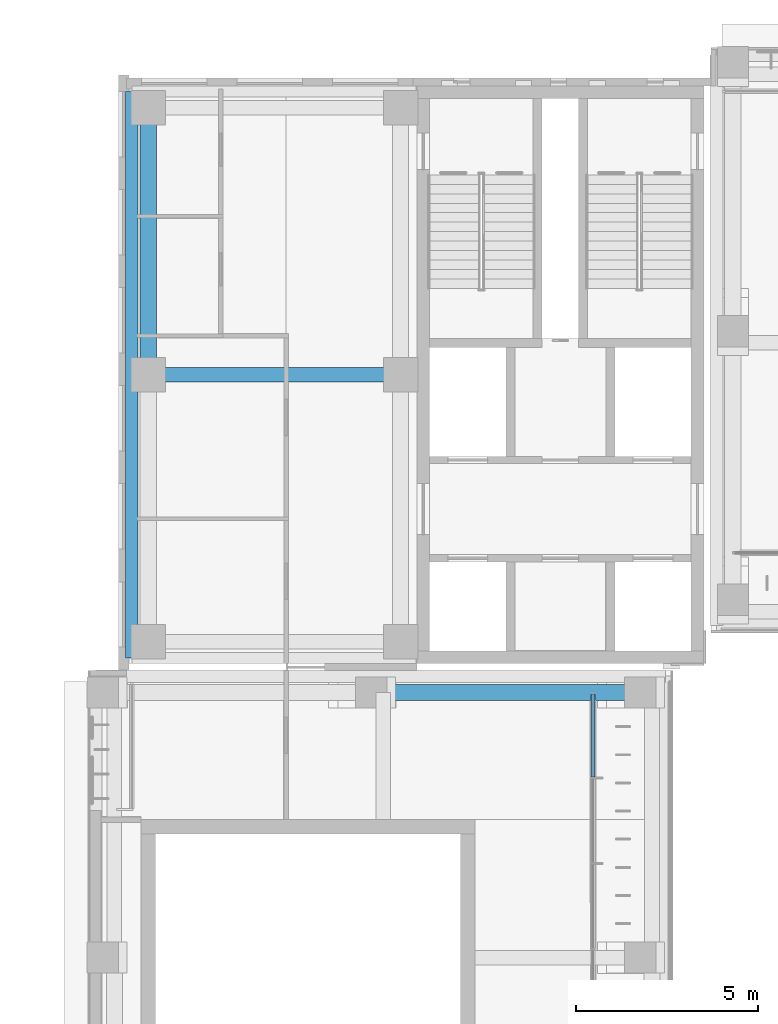
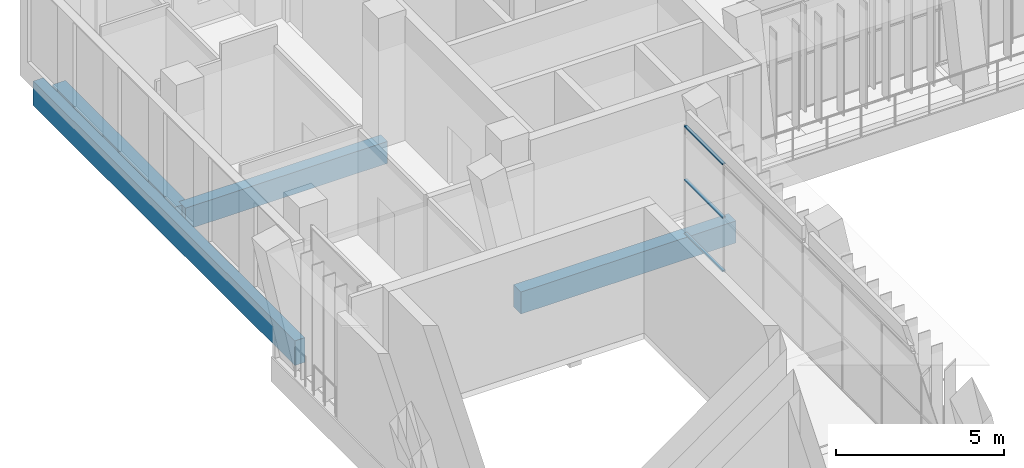
# One storey, part 30 of 92: 4 beams, 3 members, 1 element without a shape of its own.
"""IFC4 building model written with IfcOpenShell, lengths in metres."""

from ifc_helpers import new_model, si_unit, direction, frame, origin, origin_2d, place, context, subcontext, project, spatial, rectangle, extrude, material, material_profile, profile_set, type_object, element, aggregate, save


model = new_model("IFC4")

# Units and contexts
model_context = context("Model", 3, precision=1e-05, world=origin(), true_north=direction((0.0, 1.0)))
body_context = subcontext(model_context, "Body", "Model", "MODEL_VIEW")
ifc_project = project(units=[si_unit("LENGTHUNIT", "METRE"), si_unit("AREAUNIT", "SQUARE_METRE"), si_unit("VOLUMEUNIT", "CUBIC_METRE"), si_unit("PLANEANGLEUNIT", "RADIAN"), si_unit("MASSUNIT", "GRAM", prefix="KILO")], contexts=[model_context])

# Site, building, storey
site_placement = place(None, origin())
site = spatial("IfcSite", under=ifc_project, at=site_placement, CompositionType="ELEMENT")
building_placement = place(site_placement, origin())
building = spatial("IfcBuilding", under=site, at=building_placement, Name="Lantern Court Media Centre", CompositionType="ELEMENT")
storey_placement = place(building_placement, frame((0.0, 0.0, 4.800048828125)))
storey = spatial("IfcBuildingStorey", under=building, at=storey_placement, Name="L01", CompositionType="ELEMENT", Elevation=4.800048828125)

# Curtain wall, members
ifc_material_1 = material(Name="Curtain wall bay 2400")
curtain_wall_type = type_object("IfcCurtainWallType", Name="Curtain wall bay 2400", PredefinedType="NOTDEFINED", material=ifc_material_1)
curtain_wall_placement = place(storey_placement, origin())
curtain_wall = element("IfcCurtainWall", 1, at=curtain_wall_placement, inside=storey, type_object=curtain_wall_type, Name="Curtain wall W inner L01", PredefinedType="NOTDEFINED")
ifc_material_2 = material(Name="Anodised aluminium", Category="aluminium")
ifc_material_profile_1 = material_profile(ifc_material_2, rectangle(XDim=0.10009765625, YDim=0.050048828125, at=origin_2d()), Name="AL 50x100")
ifc_profile_set_1 = profile_set([ifc_material_profile_1], Name="Anodised aluminium")
member_type = type_object("IfcMemberType", Name="Curtain wall transom 100x50", PredefinedType="USERDEFINED", material=ifc_profile_set_1)
member_1_placement = place(storey_placement, frame((20.85009765625, 92.97119140625, 0.02490234375), z_axis=(0.0, 1.0, 0.0), x_axis=(-1.0, 0.0, 0.0)))
member_1 = element("IfcMember", 2, at=member_1_placement, type_object=member_type, Name="CW2 transom 13.1", ObjectType="TRANSOM", PredefinedType="USERDEFINED", context=body_context, shape_type="SweptSolid", body=[
    extrude(rectangle(XDim=0.10009765625, YDim=0.050048828125, at=origin_2d()), origin(), (0.0, 0.0, 1.0), 2.27880859375),
])
member_2_placement = place(storey_placement, frame((20.85009765625, 92.97119140625, 1.974853515625), z_axis=(0.0, 1.0, 0.0), x_axis=(-1.0, 0.0, 0.0)))
member_2 = element("IfcMember", 3, at=member_2_placement, type_object=member_type, Name="CW2 transom 13.2", ObjectType="TRANSOM", PredefinedType="USERDEFINED", context=body_context, shape_type="SweptSolid", body=[
    extrude(rectangle(XDim=0.10009765625, YDim=0.050048828125, at=origin_2d()), origin(), (0.0, 0.0, 1.0), 2.27880859375),
])
member_3_placement = place(storey_placement, frame((20.85009765625, 92.97119140625, 3.925048828125), z_axis=(0.0, 1.0, 0.0), x_axis=(-1.0, 0.0, 0.0)))
member_3 = element("IfcMember", 4, at=member_3_placement, type_object=member_type, Name="CW2 transom 13.3", ObjectType="TRANSOM", PredefinedType="USERDEFINED", context=body_context, shape_type="SweptSolid", body=[
    extrude(rectangle(XDim=0.10009765625, YDim=0.050048828125, at=origin_2d()), origin(), (0.0, 0.0, 1.0), 2.27880859375),
])
aggregate(curtain_wall, [member_1, member_2, member_3])

# Beams
ifc_material_3 = material(Name="Concrete C35", Category="concrete")
ifc_material_profile_2 = material_profile(ifc_material_3, rectangle(XDim=0.35009765625, YDim=0.89990234375, at=origin_2d()), Name="RC 350x900")
ifc_profile_set_2 = profile_set([ifc_material_profile_2], Name="Concrete C35")
beam_type_1 = type_object("IfcBeamType", Name="RC BEAM 350x900", PredefinedType="BEAM", material=ifc_profile_set_2)
beam_1_placement = place(storey_placement, frame((8.14990234375, 96.25, -0.449951171875), z_axis=(0.0, 1.0, 0.0), x_axis=(-1.0, 0.0, 0.0)))
element("IfcBeam", 5, at=beam_1_placement, inside=storey, type_object=beam_type_1, Name="EB-NW-L01-W", PredefinedType="BEAM", context=body_context, shape_type="SweptSolid", body=[
    extrude(rectangle(XDim=0.35009765625, YDim=0.89990234375, at=origin_2d()), origin(), (0.0, 0.0, 1.0), 15.60009765625),
])
ifc_material_profile_3 = material_profile(ifc_material_3, rectangle(XDim=0.39990234375, YDim=0.800048828125, at=origin_2d()), Name="RC 400x800")
ifc_profile_set_3 = profile_set([ifc_material_profile_3], Name="Concrete C35")
beam_type_2 = type_object("IfcBeamType", Name="RC BEAM 400x800", PredefinedType="BEAM", material=ifc_profile_set_3)
beam_2_placement = place(storey_placement, frame((8.60009765625, 104.050048828125, -0.400146484375), z_axis=(1.0, 0.0, 0.0), x_axis=(0.0, 1.0, 0.0)))
element("IfcBeam", 6, at=beam_2_placement, inside=storey, type_object=beam_type_2, Name="BB-NW-L01-Y0-104", PredefinedType="BEAM", context=body_context, shape_type="SweptSolid", body=[
    extrude(rectangle(XDim=0.39990234375, YDim=0.800048828125, at=origin_2d()), origin(), (0.0, 0.0, 1.0), 6.949951171875),
])
ifc_material_profile_4 = material_profile(ifc_material_3, rectangle(XDim=0.449951171875, YDim=0.800048828125, at=origin_2d()), Name="RC 450x800")
ifc_profile_set_4 = profile_set([ifc_material_profile_4], Name="Concrete C35")
beam_type_3 = type_object("IfcBeamType", Name="RC BEAM 450x800", PredefinedType="BEAM", material=ifc_profile_set_4)
beam_3_placement = place(storey_placement, frame((8.60009765625, 104.050048828125, -0.400146484375), z_axis=(0.0, 1.0, 0.0), x_axis=(-1.0, 0.0, 0.0)))
element("IfcBeam", 7, at=beam_3_placement, inside=storey, type_object=beam_type_3, Name="BB-NW-L01-X1-8", PredefinedType="BEAM", context=body_context, shape_type="SweptSolid", body=[
    extrude(rectangle(XDim=0.449951171875, YDim=0.800048828125, at=origin_2d()), origin(), (0.0, 0.0, 1.0), 7.349853515625),
])
beam_4_placement = place(storey_placement, frame((15.083251953125, 95.300048828125, -0.400146484375), z_axis=(1.0, 0.0, 0.0), x_axis=(0.0, 1.0, 0.0)))
element("IfcBeam", 8, at=beam_4_placement, inside=storey, type_object=beam_type_3, Name="TB-W-L01-4-2", PredefinedType="BEAM", context=body_context, shape_type="SweptSolid", body=[
    extrude(rectangle(XDim=0.449951171875, YDim=0.800048828125, at=origin_2d()), origin(), (0.0, 0.0, 1.0), 7.400146484375),
])

save(model, "model.ifc")
